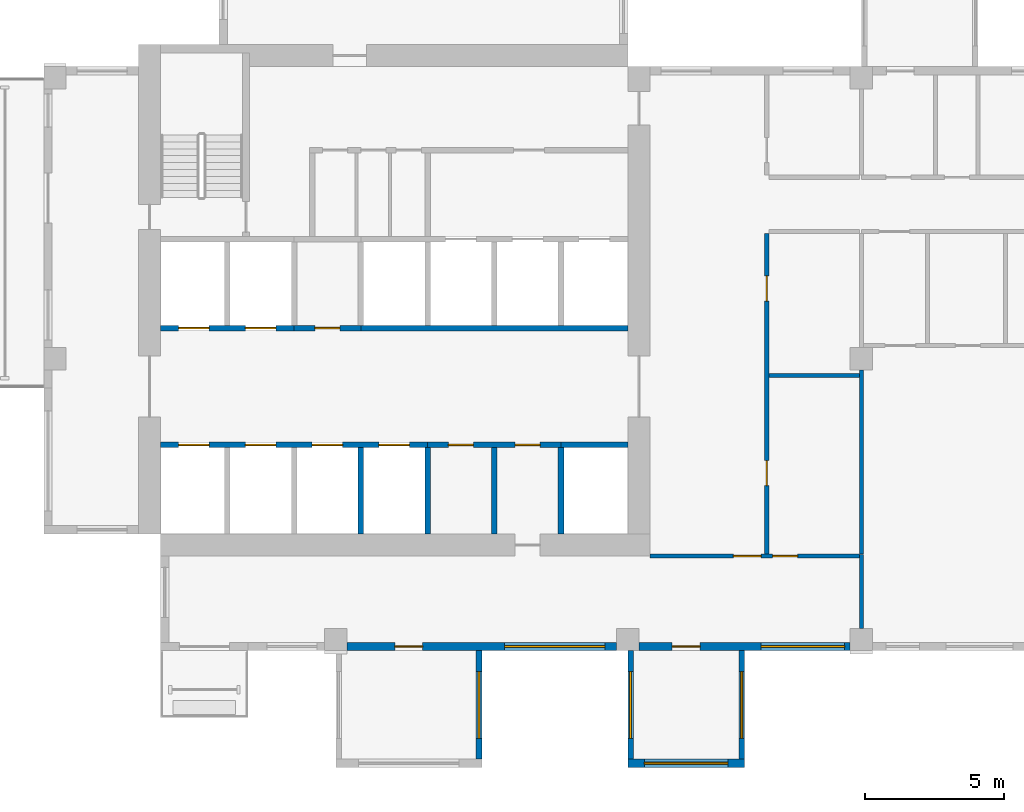
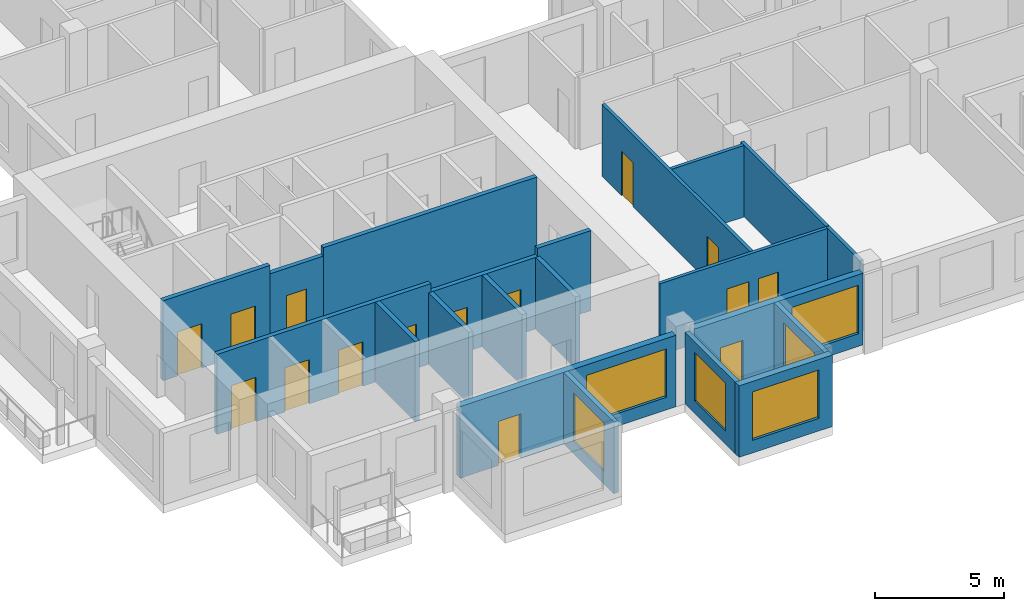
# One storey, part 2 of 12: 21 walls, 15 doors, 6 windows, 21 openings.
"""IFC4 building model written with IfcOpenShell, lengths in metres."""

from ifc_helpers import new_model, si_unit, direction, frame, frame_2d, origin, place, context, subcontext, project, spatial, rectangle, extrude, source, transform, mapped, material, layer, layer_set, type_object, element, fill, save


model = new_model("IFC4")

# Units and contexts
model_context = context("Model", 3, precision=1e-05, world=origin(), true_north=direction((0.0, 1.0)))
body_context = subcontext(model_context, "Body", "Model", "MODEL_VIEW")
ifc_project = project(units=[si_unit("LENGTHUNIT", "METRE"), si_unit("AREAUNIT", "SQUARE_METRE"), si_unit("VOLUMEUNIT", "CUBIC_METRE"), si_unit("PLANEANGLEUNIT", "RADIAN"), si_unit("MASSUNIT", "GRAM", prefix="KILO")], contexts=[model_context])

# Site, building, storey
site_placement = place(None, origin())
site = spatial("IfcSite", under=ifc_project, at=site_placement, CompositionType="ELEMENT")
building_placement = place(site_placement, origin())
building = spatial("IfcBuilding", under=site, at=building_placement, Name="Aurelian Terraces", CompositionType="ELEMENT")
storey_placement = place(building_placement, frame((0.0, 0.0, 246.2)))
storey = spatial("IfcBuildingStorey", under=building, at=storey_placement, Name="L56", CompositionType="ELEMENT", Elevation=246.2)

# Wall
ifc_material_1 = material(Name="Gypsum board on steel studs", Category="steel")
ifc_layer_1 = layer(ifc_material_1, 0.15)
ifc_layer_set_1 = layer_set([ifc_layer_1], Name="Partition 150")
wall_type_1 = type_object("IfcWallType", Name="Partition 150", PredefinedType="PARTITIONING", material=ifc_layer_set_1)
wall_1_placement = place(storey_placement, frame((29.325, 9.9, 0.0), z_axis=(0.0, 0.0, 1.0), x_axis=(-1.0, 0.0, 0.0)))
element("IfcWall", 1, at=wall_1_placement, inside=storey, type_object=wall_type_1, Name="Partition", PredefinedType="PARTITIONING", context=body_context, shape_type="SweptSolid", body=[
    extrude(rectangle(XDim=3.25, YDim=0.15, at=frame_2d((1.625, 0.0))), origin(), (0.0, 0.0, 1.0), 3.4),
])

# Wall, opening, window
ifc_material_2 = material(Name="Concrete fc' 40 MPa", Category="concrete")
ifc_layer_2 = layer(ifc_material_2, 0.2)
ifc_layer_set_2 = layer_set([ifc_layer_2], Name="BOX BEARING WALL 200")
wall_type_2 = type_object("IfcWallType", Name="BOX BEARING WALL 200", PredefinedType="SOLIDWALL", material=ifc_layer_set_2)
shared_shape_1 = source(origin(), body_context, "Body", "SweptSolid", [
    extrude(rectangle(XDim=3.9, YDim=0.2, at=frame_2d((1.95, 0.0))), origin(), (0.0, 0.0, 1.0), 3.4),
])
wall_2_placement = place(storey_placement, frame((15.65, 0.0, 0.0), z_axis=(0.0, 0.0, 1.0), x_axis=(0.0, -1.0, 0.0)))
wall_2 = element("IfcWall", 2, at=wall_2_placement, inside=storey, type_object=wall_type_2, Name="Box return L56 J79.2", PredefinedType="SOLIDWALL", context=body_context, shape_type="MappedRepresentation", body=[
    mapped(shared_shape_1, transform((0.0, 0.0, 0.0), scale=1.0)),
])
shared_shape_2 = source(origin(), body_context, "Body", "SweptSolid", [
    extrude(rectangle(XDim=2.4, YDim=2.3, at=frame_2d((1.2, 1.15))), frame((0.0, 0.11, 0.0), z_axis=(0.0, -1.0, 0.0), x_axis=(1.0, 0.0, 0.0)), (0.0, 0.0, 1.0), 0.22),
])
opening_1_placement = place(wall_2_placement, frame((0.75, 0.0, 0.6)))
opening_1 = element("IfcOpeningElement", 3, at=opening_1_placement, cuts=wall_2, Name="Opening W2423", PredefinedType="OPENING", context=body_context, shape_type="MappedRepresentation", body=[
    mapped(shared_shape_2, transform((0.0, 0.0, 0.0), scale=1.0)),
])
ifc_material_3 = material(Name="Clear glazing", Category="glass")
window_type_1 = type_object("IfcWindowType", Name="W-2400x2300", PartitioningType="SINGLE_PANEL", PredefinedType="WINDOW", material=ifc_material_3)
shared_shape_3 = source(origin(), body_context, "Body", "SweptSolid", [
    extrude(rectangle(XDim=2.4, YDim=2.3, at=frame_2d((1.2, 1.15))), frame((0.0, 0.03, 0.0), z_axis=(0.0, -1.0, 0.0), x_axis=(1.0, 0.0, 0.0)), (0.0, 0.0, 1.0), 0.06),
])
window_1_placement = place(opening_1_placement, origin())
window_1 = element("IfcWindow", 4, at=window_1_placement, inside=storey, type_object=window_type_1, Name="Window L56 J79-S2", OverallHeight=2.3, OverallWidth=2.4, PartitioningType="SINGLE_PANEL", PredefinedType="WINDOW", context=body_context, shape_type="MappedRepresentation", body=[
    mapped(shared_shape_3, transform((0.0, 0.0, 0.0), scale=1.0)),
])
fill(opening_1, window_1)

wall_3_placement = place(storey_placement, frame((21.1, 0.0, 0.0), z_axis=(0.0, 0.0, 1.0), x_axis=(0.0, -1.0, 0.0)))
wall_3 = element("IfcWall", 5, at=wall_3_placement, inside=storey, type_object=wall_type_2, Name="Box return L56 J80.1", PredefinedType="SOLIDWALL", context=body_context, shape_type="MappedRepresentation", body=[
    mapped(shared_shape_1, transform((0.0, 0.0, 0.0), scale=1.0)),
])
opening_2_placement = place(wall_3_placement, frame((0.75, 0.0, 0.6)))
opening_2 = element("IfcOpeningElement", 6, at=opening_2_placement, cuts=wall_3, Name="Opening W2423", PredefinedType="OPENING", context=body_context, shape_type="MappedRepresentation", body=[
    mapped(shared_shape_2, transform((0.0, 0.0, 0.0), scale=1.0)),
])
window_2_placement = place(opening_2_placement, origin())
window_2 = element("IfcWindow", 7, at=window_2_placement, inside=storey, type_object=window_type_1, Name="Window L56 J80-S1", OverallHeight=2.3, OverallWidth=2.4, PartitioningType="SINGLE_PANEL", PredefinedType="WINDOW", context=body_context, shape_type="MappedRepresentation", body=[
    mapped(shared_shape_3, transform((0.0, 0.0, 0.0), scale=1.0)),
])
fill(opening_2, window_2)

wall_4_placement = place(storey_placement, frame((25.1, 0.0, 0.0), z_axis=(0.0, 0.0, 1.0), x_axis=(0.0, -1.0, 0.0)))
wall_4 = element("IfcWall", 8, at=wall_4_placement, inside=storey, type_object=wall_type_2, Name="Box return L56 J80.2", PredefinedType="SOLIDWALL", context=body_context, shape_type="MappedRepresentation", body=[
    mapped(shared_shape_1, transform((0.0, 0.0, 0.0), scale=1.0)),
])
opening_3_placement = place(wall_4_placement, frame((0.75, 0.0, 0.6)))
opening_3 = element("IfcOpeningElement", 9, at=opening_3_placement, cuts=wall_4, Name="Opening W2423", PredefinedType="OPENING", context=body_context, shape_type="MappedRepresentation", body=[
    mapped(shared_shape_2, transform((0.0, 0.0, 0.0), scale=1.0)),
])
window_3_placement = place(opening_3_placement, origin())
window_3 = element("IfcWindow", 10, at=window_3_placement, inside=storey, type_object=window_type_1, Name="Window L56 J80-S2", OverallHeight=2.3, OverallWidth=2.4, PartitioningType="SINGLE_PANEL", PredefinedType="WINDOW", context=body_context, shape_type="MappedRepresentation", body=[
    mapped(shared_shape_3, transform((0.0, 0.0, 0.0), scale=1.0)),
])
fill(opening_3, window_3)

ifc_layer_3 = layer(ifc_material_2, 0.3)
ifc_layer_set_3 = layer_set([ifc_layer_3], Name="BOX BEARING WALL 300")
wall_type_3 = type_object("IfcWallType", Name="BOX BEARING WALL 300", PredefinedType="SOLIDWALL", material=ifc_layer_set_3)
shared_shape_4 = source(origin(), body_context, "Body", "SweptSolid", [
    extrude(rectangle(XDim=4.2, YDim=0.3, at=frame_2d((2.1, 0.0))), origin(), (0.0, 0.0, 1.0), 3.4),
])
wall_5_placement = place(storey_placement, frame((21.0, -4.05, 0.0), z_axis=(0.0, 0.0, 1.0), x_axis=(1.0, 0.0, 0.0)))
wall_5 = element("IfcWall", 11, at=wall_5_placement, inside=storey, type_object=wall_type_3, Name="Box wall L56 J80", PredefinedType="SOLIDWALL", context=body_context, shape_type="MappedRepresentation", body=[
    mapped(shared_shape_4, transform((0.0, 0.0, 0.0), scale=1.0)),
])
shared_shape_5 = source(origin(), body_context, "Body", "SweptSolid", [
    extrude(rectangle(XDim=3.0, YDim=2.3, at=frame_2d((1.5, 1.15))), frame((0.0, 0.16, 0.0), z_axis=(0.0, -1.0, 0.0), x_axis=(1.0, 0.0, 0.0)), (0.0, 0.0, 1.0), 0.32),
])
opening_4_placement = place(wall_5_placement, frame((0.6, 0.0, 0.6)))
opening_4 = element("IfcOpeningElement", 12, at=opening_4_placement, cuts=wall_5, Name="Opening W3023", PredefinedType="OPENING", context=body_context, shape_type="MappedRepresentation", body=[
    mapped(shared_shape_5, transform((0.0, 0.0, 0.0), scale=1.0)),
])
window_type_2 = type_object("IfcWindowType", Name="W-3000x2300", PartitioningType="SINGLE_PANEL", PredefinedType="WINDOW", material=ifc_material_3)
shared_shape_6 = source(origin(), body_context, "Body", "SweptSolid", [
    extrude(rectangle(XDim=3.0, YDim=2.3, at=frame_2d((1.5, 1.15))), frame((0.0, 0.03, 0.0), z_axis=(0.0, -1.0, 0.0), x_axis=(1.0, 0.0, 0.0)), (0.0, 0.0, 1.0), 0.06),
])
window_4_placement = place(opening_4_placement, origin())
window_4 = element("IfcWindow", 13, at=window_4_placement, inside=storey, type_object=window_type_2, Name="Window L56 J80-F1", OverallHeight=2.3, OverallWidth=3.0, PartitioningType="SINGLE_PANEL", PredefinedType="WINDOW", context=body_context, shape_type="MappedRepresentation", body=[
    mapped(shared_shape_6, transform((0.0, 0.0, 0.0), scale=1.0)),
])
fill(opening_4, window_4)

# Wall, openings, window, door
ifc_material_4 = material(Name="Terracotta rainscreen cladding", Category="masonry")
ifc_layer_4 = layer(ifc_material_4, 0.3)
ifc_layer_set_4 = layer_set([ifc_layer_4], Name="EW-300")
wall_type_4 = type_object("IfcWallType", Name="EW-300", PredefinedType="STANDARD", material=ifc_layer_set_4)
shared_shape_7 = source(origin(), body_context, "Body", "SweptSolid", [
    extrude(rectangle(XDim=7.6, YDim=0.3, at=frame_2d((3.8, 0.0))), origin(), (0.0, 0.0, 1.0), 3.4),
])
wall_6_placement = place(storey_placement, frame((21.4, 0.15, 0.0), z_axis=(0.0, 0.0, 1.0), x_axis=(1.0, 0.0, 0.0)))
wall_6 = element("IfcWall", 14, at=wall_6_placement, inside=storey, type_object=wall_type_4, Name="External wall L56 F01.4", PredefinedType="STANDARD", context=body_context, shape_type="MappedRepresentation", body=[
    mapped(shared_shape_7, transform((0.0, 0.0, 0.0), scale=1.0)),
])
opening_5_placement = place(wall_6_placement, frame((4.4, 0.0, 0.6)))
opening_5 = element("IfcOpeningElement", 15, at=opening_5_placement, cuts=wall_6, Name="Opening W3023", PredefinedType="OPENING", context=body_context, shape_type="MappedRepresentation", body=[
    mapped(shared_shape_5, transform((0.0, 0.0, 0.0), scale=1.0)),
])
shared_shape_8 = source(origin(), body_context, "Body", "SweptSolid", [
    extrude(rectangle(XDim=1.0, YDim=2.1, at=frame_2d((0.5, 1.05))), frame((0.0, 0.16, 0.0), z_axis=(0.0, -1.0, 0.0), x_axis=(1.0, 0.0, 0.0)), (0.0, 0.0, 1.0), 0.32),
])
opening_6_placement = place(wall_6_placement, frame((1.2, 0.0, 0.0)))
opening_6 = element("IfcOpeningElement", 16, at=opening_6_placement, cuts=wall_6, Name="Opening 856002", PredefinedType="OPENING", context=body_context, shape_type="MappedRepresentation", body=[
    mapped(shared_shape_8, transform((0.0, 0.0, 0.0), scale=1.0)),
])
window_5_placement = place(opening_5_placement, origin())
window_5 = element("IfcWindow", 17, at=window_5_placement, inside=storey, type_object=window_type_2, Name="Window L56 L56-F01-04-1", OverallHeight=2.3, OverallWidth=3.0, PartitioningType="SINGLE_PANEL", PredefinedType="WINDOW", context=body_context, shape_type="MappedRepresentation", body=[
    mapped(shared_shape_6, transform((0.0, 0.0, 0.0), scale=1.0)),
])
fill(opening_5, window_5)
ifc_material_5 = material(Name="Timber door leaf", Category="wood")
door_type_1 = type_object("IfcDoorType", Name="Room door 1000x2100 left", OperationType="SINGLE_SWING_LEFT", PredefinedType="DOOR", material=ifc_material_5)
shared_shape_9 = source(origin(), body_context, "Body", "SweptSolid", [
    extrude(rectangle(XDim=1.0, YDim=2.1, at=frame_2d((0.5, 1.05))), frame((0.0, 0.025, 0.0), z_axis=(0.0, -1.0, 0.0), x_axis=(1.0, 0.0, 0.0)), (0.0, 0.0, 1.0), 0.05),
])
door_1_placement = place(opening_6_placement, origin())
door_1 = element("IfcDoor", 18, at=door_1_placement, inside=storey, type_object=door_type_1, Name="Door 856002", OperationType="SINGLE_SWING_LEFT", OverallHeight=2.1, OverallWidth=1.0, PredefinedType="DOOR", context=body_context, shape_type="MappedRepresentation", body=[
    mapped(shared_shape_9, transform((0.0, 0.0, 0.0), scale=1.0)),
])
fill(opening_6, door_1)

shared_shape_10 = source(origin(), body_context, "Body", "SweptSolid", [
    extrude(rectangle(XDim=9.7, YDim=0.3, at=frame_2d((4.85, 0.0))), origin(), (0.0, 0.0, 1.0), 3.4),
])
wall_7_placement = place(storey_placement, frame((10.9, 0.15, 0.0), z_axis=(0.0, 0.0, 1.0), x_axis=(1.0, 0.0, 0.0)))
wall_7 = element("IfcWall", 19, at=wall_7_placement, inside=storey, type_object=wall_type_4, Name="External wall L56 F01.3", PredefinedType="STANDARD", context=body_context, shape_type="MappedRepresentation", body=[
    mapped(shared_shape_10, transform((0.0, 0.0, 0.0), scale=1.0)),
])
shared_shape_11 = source(origin(), body_context, "Body", "SweptSolid", [
    extrude(rectangle(XDim=3.6, YDim=2.3, at=frame_2d((1.8, 1.15))), frame((0.0, 0.16, 0.0), z_axis=(0.0, -1.0, 0.0), x_axis=(1.0, 0.0, 0.0)), (0.0, 0.0, 1.0), 0.32),
])
opening_7_placement = place(wall_7_placement, frame((5.675, 0.0, 0.6)))
opening_7 = element("IfcOpeningElement", 20, at=opening_7_placement, cuts=wall_7, Name="Opening W3623", PredefinedType="OPENING", context=body_context, shape_type="MappedRepresentation", body=[
    mapped(shared_shape_11, transform((0.0, 0.0, 0.0), scale=1.0)),
])
opening_8_placement = place(wall_7_placement, frame((1.725, 0.0, 0.0)))
opening_8 = element("IfcOpeningElement", 21, at=opening_8_placement, cuts=wall_7, Name="Opening 856001", PredefinedType="OPENING", context=body_context, shape_type="MappedRepresentation", body=[
    mapped(shared_shape_8, transform((0.0, 0.0, 0.0), scale=1.0)),
])
window_type_3 = type_object("IfcWindowType", Name="W-3600x2300", PartitioningType="SINGLE_PANEL", PredefinedType="WINDOW", material=ifc_material_3)
shared_shape_12 = source(origin(), body_context, "Body", "SweptSolid", [
    extrude(rectangle(XDim=3.6, YDim=2.3, at=frame_2d((1.8, 1.15))), frame((0.0, 0.03, 0.0), z_axis=(0.0, -1.0, 0.0), x_axis=(1.0, 0.0, 0.0)), (0.0, 0.0, 1.0), 0.06),
])
window_6_placement = place(opening_7_placement, origin())
window_6 = element("IfcWindow", 22, at=window_6_placement, inside=storey, type_object=window_type_3, Name="Window L56 L56-F01-03-1", OverallHeight=2.3, OverallWidth=3.6, PartitioningType="SINGLE_PANEL", PredefinedType="WINDOW", context=body_context, shape_type="MappedRepresentation", body=[
    mapped(shared_shape_12, transform((0.0, 0.0, 0.0), scale=1.0)),
])
fill(opening_7, window_6)
door_2_placement = place(opening_8_placement, origin())
door_2 = element("IfcDoor", 23, at=door_2_placement, inside=storey, type_object=door_type_1, Name="Door 856001", OperationType="SINGLE_SWING_LEFT", OverallHeight=2.1, OverallWidth=1.0, PredefinedType="DOOR", context=body_context, shape_type="MappedRepresentation", body=[
    mapped(shared_shape_9, transform((0.0, 0.0, 0.0), scale=1.0)),
])
fill(opening_8, door_2)

# Walls
ifc_layer_5 = layer(ifc_material_2, 0.2)
ifc_layer_set_5 = layer_set([ifc_layer_5], Name="Lift shaft wall 200")
wall_type_5 = type_object("IfcWallType", Name="Lift shaft wall 200", PredefinedType="SOLIDWALL", material=ifc_layer_set_5)
shared_shape_13 = source(origin(), body_context, "Body", "SweptSolid", [
    extrude(rectangle(XDim=3.1, YDim=0.2, at=frame_2d((1.55, 0.0))), origin(), (0.0, 0.0, 1.0), 3.8),
])
wall_8_placement = place(storey_placement, frame((11.4, 4.2, 0.0), z_axis=(0.0, 0.0, 1.0), x_axis=(0.0, 1.0, 0.0)))
element("IfcWall", 24, at=wall_8_placement, inside=storey, type_object=wall_type_5, Name="L56 core wall CD-A3", PredefinedType="SOLIDWALL", context=body_context, shape_type="MappedRepresentation", body=[
    mapped(shared_shape_13, transform((0.0, 0.0, 0.0), scale=1.0)),
])
shared_shape_14 = source(origin(), body_context, "Body", "SweptSolid", [
    extrude(rectangle(XDim=3.1, YDim=0.2, at=frame_2d((1.55, 0.0))), origin(), (0.0, 0.0, 1.0), 3.4),
])
for number, where, z_axis, x_axis, name in (
    (25, (13.8, 4.2, 0.0), (0.0, 0.0, 1.0), (0.0, 1.0, 0.0), "L56 core wall CD-A4"),
    (26, (18.6, 4.2, 0.0), (0.0, 0.0, 1.0), (0.0, 1.0, 0.0), "L56 core wall CD-A6"),
):
    element("IfcWall", number, at=place(storey_placement, frame(where, z_axis=z_axis, x_axis=x_axis)), inside=storey, type_object=wall_type_5, Name=name, PredefinedType="SOLIDWALL", context=body_context, shape_type="MappedRepresentation", body=[
        mapped(shared_shape_14, transform((0.0, 0.0, 0.0), scale=1.0)),
    ])

# Wall, openings, doors
shared_shape_15 = source(origin(), body_context, "Body", "SweptSolid", [
    extrude(rectangle(XDim=9.6, YDim=0.2, at=frame_2d((4.8, 0.0))), origin(), (0.0, 0.0, 1.0), 3.8),
])
wall_9_placement = place(storey_placement, frame((4.2, 7.4, 0.0), z_axis=(0.0, 0.0, 1.0), x_axis=(1.0, 0.0, 0.0)))
wall_9 = element("IfcWall", 27, at=wall_9_placement, inside=storey, type_object=wall_type_5, Name="L56 core wall CF-AF1", PredefinedType="SOLIDWALL", context=body_context, shape_type="MappedRepresentation", body=[
    mapped(shared_shape_15, transform((0.0, 0.0, 0.0), scale=1.0)),
])
shared_shape_16 = source(origin(), body_context, "Body", "SweptSolid", [
    extrude(rectangle(XDim=1.1, YDim=2.1, at=frame_2d((0.55, 1.05))), frame((0.0, 0.11, 0.0), z_axis=(0.0, -1.0, 0.0), x_axis=(1.0, 0.0, 0.0)), (0.0, 0.0, 1.0), 0.22),
])
opening_9_placement = place(wall_9_placement, frame((0.65, 0.0, 0.0)))
opening_9 = element("IfcOpeningElement", 28, at=opening_9_placement, cuts=wall_9, Name="Opening 65900", PredefinedType="OPENING", context=body_context, shape_type="MappedRepresentation", body=[
    mapped(shared_shape_16, transform((0.0, 0.0, 0.0), scale=1.0)),
])
opening_10_placement = place(wall_9_placement, frame((3.05, 0.0, 0.0)))
opening_10 = element("IfcOpeningElement", 29, at=opening_10_placement, cuts=wall_9, Name="Opening 65901", PredefinedType="OPENING", context=body_context, shape_type="MappedRepresentation", body=[
    mapped(shared_shape_16, transform((0.0, 0.0, 0.0), scale=1.0)),
])
opening_11_placement = place(wall_9_placement, frame((5.45, 0.0, 0.0)))
opening_11 = element("IfcOpeningElement", 30, at=opening_11_placement, cuts=wall_9, Name="Opening 65902", PredefinedType="OPENING", context=body_context, shape_type="MappedRepresentation", body=[
    mapped(shared_shape_16, transform((0.0, 0.0, 0.0), scale=1.0)),
])
opening_12_placement = place(wall_9_placement, frame((7.85, 0.0, 0.0)))
opening_12 = element("IfcOpeningElement", 31, at=opening_12_placement, cuts=wall_9, Name="Opening 65903", PredefinedType="OPENING", context=body_context, shape_type="MappedRepresentation", body=[
    mapped(shared_shape_16, transform((0.0, 0.0, 0.0), scale=1.0)),
])
ifc_material_6 = material(Name="Stainless steel", Category="steel")
door_type_2 = type_object("IfcDoorType", Name="Lift landing door 1100x2100", OperationType="SLIDING_TO_LEFT", PredefinedType="DOOR", material=ifc_material_6)
shared_shape_17 = source(origin(), body_context, "Body", "SweptSolid", [
    extrude(rectangle(XDim=1.1, YDim=2.1, at=frame_2d((0.55, 1.05))), frame((0.0, 0.025, 0.0), z_axis=(0.0, -1.0, 0.0), x_axis=(1.0, 0.0, 0.0)), (0.0, 0.0, 1.0), 0.05),
])
door_3_placement = place(opening_9_placement, origin())
door_3 = element("IfcDoor", 32, at=door_3_placement, inside=storey, type_object=door_type_2, Name="Lift landing door LM1 L56", OperationType="SLIDING_TO_LEFT", OverallHeight=2.1, OverallWidth=1.1, PredefinedType="DOOR", context=body_context, shape_type="MappedRepresentation", body=[
    mapped(shared_shape_17, transform((0.0, 0.0, 0.0), scale=1.0)),
])
fill(opening_9, door_3)
door_4_placement = place(opening_10_placement, origin())
door_4 = element("IfcDoor", 33, at=door_4_placement, inside=storey, type_object=door_type_2, Name="Lift landing door LM2 L56", OperationType="SLIDING_TO_LEFT", OverallHeight=2.1, OverallWidth=1.1, PredefinedType="DOOR", context=body_context, shape_type="MappedRepresentation", body=[
    mapped(shared_shape_17, transform((0.0, 0.0, 0.0), scale=1.0)),
])
fill(opening_10, door_4)
door_5_placement = place(opening_11_placement, origin())
door_5 = element("IfcDoor", 34, at=door_5_placement, inside=storey, type_object=door_type_2, Name="Lift landing door LM3 L56", OperationType="SLIDING_TO_LEFT", OverallHeight=2.1, OverallWidth=1.1, PredefinedType="DOOR", context=body_context, shape_type="MappedRepresentation", body=[
    mapped(shared_shape_17, transform((0.0, 0.0, 0.0), scale=1.0)),
])
fill(opening_11, door_5)
door_6_placement = place(opening_12_placement, origin())
door_6 = element("IfcDoor", 35, at=door_6_placement, inside=storey, type_object=door_type_2, Name="Lift landing door LM4 L56", OperationType="SLIDING_TO_LEFT", OverallHeight=2.1, OverallWidth=1.1, PredefinedType="DOOR", context=body_context, shape_type="MappedRepresentation", body=[
    mapped(shared_shape_17, transform((0.0, 0.0, 0.0), scale=1.0)),
])
fill(opening_12, door_6)

# Wall
wall_10_placement = place(storey_placement, frame((11.4, 11.6, 0.0), z_axis=(0.0, 0.0, 1.0), x_axis=(1.0, 0.0, 0.0)))
element("IfcWall", 36, at=wall_10_placement, inside=storey, type_object=wall_type_5, Name="L56 core wall CF-BF3", PredefinedType="SOLIDWALL", context=body_context, shape_type="MappedRepresentation", body=[
    mapped(shared_shape_15, transform((0.0, 0.0, 0.0), scale=1.0)),
])

# Wall, openings, doors
shared_shape_18 = source(origin(), body_context, "Body", "SweptSolid", [
    extrude(rectangle(XDim=4.8, YDim=0.2, at=frame_2d((2.4, 0.0))), origin(), (0.0, 0.0, 1.0), 3.8),
])
wall_11_placement = place(storey_placement, frame((4.2, 11.6, 0.0), z_axis=(0.0, 0.0, 1.0), x_axis=(1.0, 0.0, 0.0)))
wall_11 = element("IfcWall", 37, at=wall_11_placement, inside=storey, type_object=wall_type_5, Name="L56 core wall CF-BF1", PredefinedType="SOLIDWALL", context=body_context, shape_type="MappedRepresentation", body=[
    mapped(shared_shape_18, transform((0.0, 0.0, 0.0), scale=1.0)),
])
opening_13_placement = place(wall_11_placement, frame((0.65, 0.0, 0.0)))
opening_13 = element("IfcOpeningElement", 38, at=opening_13_placement, cuts=wall_11, Name="Opening 65906", PredefinedType="OPENING", context=body_context, shape_type="MappedRepresentation", body=[
    mapped(shared_shape_16, transform((0.0, 0.0, 0.0), scale=1.0)),
])
opening_14_placement = place(wall_11_placement, frame((3.05, 0.0, 0.0)))
opening_14 = element("IfcOpeningElement", 39, at=opening_14_placement, cuts=wall_11, Name="Opening 65907", PredefinedType="OPENING", context=body_context, shape_type="MappedRepresentation", body=[
    mapped(shared_shape_16, transform((0.0, 0.0, 0.0), scale=1.0)),
])
door_7_placement = place(opening_13_placement, origin())
door_7 = element("IfcDoor", 40, at=door_7_placement, inside=storey, type_object=door_type_2, Name="Lift landing door LM5 L56", OperationType="SLIDING_TO_LEFT", OverallHeight=2.1, OverallWidth=1.1, PredefinedType="DOOR", context=body_context, shape_type="MappedRepresentation", body=[
    mapped(shared_shape_17, transform((0.0, 0.0, 0.0), scale=1.0)),
])
fill(opening_13, door_7)
door_8_placement = place(opening_14_placement, origin())
door_8 = element("IfcDoor", 41, at=door_8_placement, inside=storey, type_object=door_type_2, Name="Lift landing door LM6 L56", OperationType="SLIDING_TO_LEFT", OverallHeight=2.1, OverallWidth=1.1, PredefinedType="DOOR", context=body_context, shape_type="MappedRepresentation", body=[
    mapped(shared_shape_17, transform((0.0, 0.0, 0.0), scale=1.0)),
])
fill(opening_14, door_8)

# Wall, opening, door
shared_shape_19 = source(origin(), body_context, "Body", "SweptSolid", [
    extrude(rectangle(XDim=2.4, YDim=0.2, at=frame_2d((1.2, 0.0))), origin(), (0.0, 0.0, 1.0), 3.4),
])
wall_12_placement = place(storey_placement, frame((9.0, 11.6, 0.0), z_axis=(0.0, 0.0, 1.0), x_axis=(1.0, 0.0, 0.0)))
wall_12 = element("IfcWall", 42, at=wall_12_placement, inside=storey, type_object=wall_type_5, Name="L56 core wall CF-BF2", PredefinedType="SOLIDWALL", context=body_context, shape_type="MappedRepresentation", body=[
    mapped(shared_shape_19, transform((0.0, 0.0, 0.0), scale=1.0)),
])
shared_shape_20 = source(origin(), body_context, "Body", "SweptSolid", [
    extrude(rectangle(XDim=0.9, YDim=2.1, at=frame_2d((0.45, 1.05))), frame((0.0, 0.11, 0.0), z_axis=(0.0, -1.0, 0.0), x_axis=(1.0, 0.0, 0.0)), (0.0, 0.0, 1.0), 0.22),
])
opening_15_placement = place(wall_12_placement, frame((0.75, 0.0, 0.0)))
opening_15 = element("IfcOpeningElement", 43, at=opening_15_placement, cuts=wall_12, Name="Opening 65908", PredefinedType="OPENING", context=body_context, shape_type="MappedRepresentation", body=[
    mapped(shared_shape_20, transform((0.0, 0.0, 0.0), scale=1.0)),
])
ifc_material_7 = material(Name="Steel door leaf", Category="steel")
door_type_3 = type_object("IfcDoorType", Name="Core service door 900x2100 right", OperationType="SINGLE_SWING_RIGHT", PredefinedType="DOOR", material=ifc_material_7)
shared_shape_21 = source(origin(), body_context, "Body", "SweptSolid", [
    extrude(rectangle(XDim=0.9, YDim=2.1, at=frame_2d((0.45, 1.05))), frame((0.0, 0.025, 0.0), z_axis=(0.0, -1.0, 0.0), x_axis=(1.0, 0.0, 0.0)), (0.0, 0.0, 1.0), 0.05),
])
door_9_placement = place(opening_15_placement, origin())
door_9 = element("IfcDoor", 44, at=door_9_placement, inside=storey, type_object=door_type_3, Name="Room door 65908", OperationType="SINGLE_SWING_RIGHT", OverallHeight=2.1, OverallWidth=0.9, PredefinedType="DOOR", context=body_context, shape_type="MappedRepresentation", body=[
    mapped(shared_shape_21, transform((0.0, 0.0, 0.0), scale=1.0)),
])
fill(opening_15, door_9)

# Wall, openings, doors
shared_shape_22 = source(origin(), body_context, "Body", "SweptSolid", [
    extrude(rectangle(XDim=4.8, YDim=0.2, at=frame_2d((2.4, 0.0))), origin(), (0.0, 0.0, 1.0), 3.4),
])
wall_13_placement = place(storey_placement, frame((13.8, 7.4, 0.0), z_axis=(0.0, 0.0, 1.0), x_axis=(1.0, 0.0, 0.0)))
wall_13 = element("IfcWall", 45, at=wall_13_placement, inside=storey, type_object=wall_type_5, Name="L56 core wall CF-AF2", PredefinedType="SOLIDWALL", context=body_context, shape_type="MappedRepresentation", body=[
    mapped(shared_shape_22, transform((0.0, 0.0, 0.0), scale=1.0)),
])
opening_16_placement = place(wall_13_placement, frame((0.75, 0.0, 0.0)))
opening_16 = element("IfcOpeningElement", 46, at=opening_16_placement, cuts=wall_13, Name="Opening 65904", PredefinedType="OPENING", context=body_context, shape_type="MappedRepresentation", body=[
    mapped(shared_shape_20, transform((0.0, 0.0, 0.0), scale=1.0)),
])
opening_17_placement = place(wall_13_placement, frame((3.15, 0.0, 0.0)))
opening_17 = element("IfcOpeningElement", 47, at=opening_17_placement, cuts=wall_13, Name="Opening 65905", PredefinedType="OPENING", context=body_context, shape_type="MappedRepresentation", body=[
    mapped(shared_shape_20, transform((0.0, 0.0, 0.0), scale=1.0)),
])
door_10_placement = place(opening_16_placement, origin())
door_10 = element("IfcDoor", 48, at=door_10_placement, inside=storey, type_object=door_type_3, Name="Room door 65904", OperationType="SINGLE_SWING_RIGHT", OverallHeight=2.1, OverallWidth=0.9, PredefinedType="DOOR", context=body_context, shape_type="MappedRepresentation", body=[
    mapped(shared_shape_21, transform((0.0, 0.0, 0.0), scale=1.0)),
])
fill(opening_16, door_10)
door_type_4 = type_object("IfcDoorType", Name="Core service door 900x2100", OperationType="SINGLE_SWING_LEFT", PredefinedType="DOOR", material=ifc_material_7)
door_11_placement = place(opening_17_placement, origin())
door_11 = element("IfcDoor", 49, at=door_11_placement, inside=storey, type_object=door_type_4, Name="Room door 65905", OperationType="SINGLE_SWING_LEFT", OverallHeight=2.1, OverallWidth=0.9, PredefinedType="DOOR", context=body_context, shape_type="MappedRepresentation", body=[
    mapped(shared_shape_21, transform((0.0, 0.0, 0.0), scale=1.0)),
])
fill(opening_17, door_11)

# Walls
shared_shape_23 = source(origin(), body_context, "Body", "SweptSolid", [
    extrude(rectangle(XDim=2.4, YDim=0.2, at=frame_2d((1.2, 0.0))), origin(), (0.0, 0.0, 1.0), 3.8),
])
wall_14_placement = place(storey_placement, frame((18.6, 7.4, 0.0), z_axis=(0.0, 0.0, 1.0), x_axis=(1.0, 0.0, 0.0)))
element("IfcWall", 50, at=wall_14_placement, inside=storey, type_object=wall_type_5, Name="L56 core wall CF-AF3", PredefinedType="SOLIDWALL", context=body_context, shape_type="MappedRepresentation", body=[
    mapped(shared_shape_23, transform((0.0, 0.0, 0.0), scale=1.0)),
])
ifc_layer_6 = layer(ifc_material_1, 0.2)
ifc_layer_set_6 = layer_set([ifc_layer_6], Name="Core partition 200")
wall_type_6 = type_object("IfcWallType", Name="Core partition 200", PredefinedType="PARTITIONING", material=ifc_layer_set_6)
shared_shape_24 = source(origin(), body_context, "Body", "SweptSolid", [
    extrude(rectangle(XDim=3.1, YDim=0.2, at=frame_2d((1.55, 0.0))), origin(), (0.0, 0.0, 1.0), 3.4),
])
wall_15_placement = place(storey_placement, frame((16.2, 4.2, 0.0), z_axis=(0.0, 0.0, 1.0), x_axis=(0.0, 1.0, 0.0)))
element("IfcWall", 51, at=wall_15_placement, inside=storey, type_object=wall_type_6, Name="L56 core wall CS-A5", PredefinedType="PARTITIONING", context=body_context, shape_type="MappedRepresentation", body=[
    mapped(shared_shape_24, transform((0.0, 0.0, 0.0), scale=1.0)),
])

# Wall, openings, doors
shared_shape_25 = source(origin(), body_context, "Body", "SweptSolid", [
    extrude(rectangle(XDim=11.525, YDim=0.15, at=frame_2d((5.7625, 0.0))), origin(), (0.0, 0.0, 1.0), 3.4),
])
wall_16_placement = place(storey_placement, frame((26.0, 15.0, 0.0), z_axis=(0.0, 0.0, 1.0), x_axis=(0.0, -1.0, 0.0)))
wall_16 = element("IfcWall", 52, at=wall_16_placement, inside=storey, type_object=wall_type_1, Name="Partition", PredefinedType="PARTITIONING", context=body_context, shape_type="MappedRepresentation", body=[
    mapped(shared_shape_25, transform((0.0, 0.0, 0.0), scale=1.0)),
])
shared_shape_26 = source(origin(), body_context, "Body", "SweptSolid", [
    extrude(rectangle(XDim=0.9, YDim=2.1, at=frame_2d((0.45, 1.05))), frame((0.0, 0.085, 0.0), z_axis=(0.0, -1.0, 0.0), x_axis=(1.0, 0.0, 0.0)), (0.0, 0.0, 1.0), 0.17),
])
opening_18_placement = place(wall_16_placement, frame((8.1625, 0.0, 0.0)))
opening_18 = element("IfcOpeningElement", 53, at=opening_18_placement, cuts=wall_16, Name="Opening 756001", PredefinedType="OPENING", context=body_context, shape_type="MappedRepresentation", body=[
    mapped(shared_shape_26, transform((0.0, 0.0, 0.0), scale=1.0)),
])
opening_19_placement = place(wall_16_placement, frame((1.525, 0.0, 0.0)))
opening_19 = element("IfcOpeningElement", 54, at=opening_19_placement, cuts=wall_16, Name="Opening 756002", PredefinedType="OPENING", context=body_context, shape_type="MappedRepresentation", body=[
    mapped(shared_shape_26, transform((0.0, 0.0, 0.0), scale=1.0)),
])
door_type_5 = type_object("IfcDoorType", Name="Room door 900x2100 right", OperationType="SINGLE_SWING_RIGHT", PredefinedType="DOOR", material=ifc_material_5)
door_12_placement = place(opening_18_placement, origin())
door_12 = element("IfcDoor", 55, at=door_12_placement, inside=storey, type_object=door_type_5, Name="Door 756001", OperationType="SINGLE_SWING_RIGHT", OverallHeight=2.1, OverallWidth=0.9, PredefinedType="DOOR", context=body_context, shape_type="MappedRepresentation", body=[
    mapped(shared_shape_21, transform((0.0, 0.0, 0.0), scale=1.0)),
])
fill(opening_18, door_12)
door_type_6 = type_object("IfcDoorType", Name="Room door 900x2100 left", OperationType="SINGLE_SWING_LEFT", PredefinedType="DOOR", material=ifc_material_5)
door_13_placement = place(opening_19_placement, origin())
door_13 = element("IfcDoor", 56, at=door_13_placement, inside=storey, type_object=door_type_6, Name="Door 756002", OperationType="SINGLE_SWING_LEFT", OverallHeight=2.1, OverallWidth=0.9, PredefinedType="DOOR", context=body_context, shape_type="MappedRepresentation", body=[
    mapped(shared_shape_21, transform((0.0, 0.0, 0.0), scale=1.0)),
])
fill(opening_19, door_13)

shared_shape_27 = source(origin(), body_context, "Body", "SweptSolid", [
    extrude(rectangle(XDim=7.525, YDim=0.15, at=frame_2d((3.7625, 0.0))), origin(), (0.0, 0.0, 1.0), 3.4),
])
wall_17_placement = place(storey_placement, frame((21.8, 3.4, 0.0), z_axis=(0.0, 0.0, 1.0), x_axis=(1.0, 0.0, 0.0)))
wall_17 = element("IfcWall", 57, at=wall_17_placement, inside=storey, type_object=wall_type_1, Name="Partition", PredefinedType="PARTITIONING", context=body_context, shape_type="MappedRepresentation", body=[
    mapped(shared_shape_27, transform((0.0, 0.0, 0.0), scale=1.0)),
])
shared_shape_28 = source(origin(), body_context, "Body", "SweptSolid", [
    extrude(rectangle(XDim=1.0, YDim=2.1, at=frame_2d((0.5, 1.05))), frame((0.0, 0.085, 0.0), z_axis=(0.0, -1.0, 0.0), x_axis=(1.0, 0.0, 0.0)), (0.0, 0.0, 1.0), 0.17),
])
opening_20_placement = place(wall_17_placement, frame((3.0, 0.0, 0.0)))
opening_20 = element("IfcOpeningElement", 58, at=opening_20_placement, cuts=wall_17, Name="Opening 756004", PredefinedType="OPENING", context=body_context, shape_type="MappedRepresentation", body=[
    mapped(shared_shape_28, transform((0.0, 0.0, 0.0), scale=1.0)),
])
opening_21_placement = place(wall_17_placement, frame((4.413, 0.0, 0.0)))
opening_21 = element("IfcOpeningElement", 59, at=opening_21_placement, cuts=wall_17, Name="Opening 756035", PredefinedType="OPENING", context=body_context, shape_type="MappedRepresentation", body=[
    mapped(shared_shape_26, transform((0.0, 0.0, 0.0), scale=1.0)),
])
door_14_placement = place(opening_20_placement, origin())
door_14 = element("IfcDoor", 60, at=door_14_placement, inside=storey, type_object=door_type_1, Name="Door 756004", OperationType="SINGLE_SWING_LEFT", OverallHeight=2.1, OverallWidth=1.0, PredefinedType="DOOR", context=body_context, shape_type="MappedRepresentation", body=[
    mapped(shared_shape_9, transform((0.0, 0.0, 0.0), scale=1.0)),
])
fill(opening_20, door_14)
door_15_placement = place(opening_21_placement, origin())
door_15 = element("IfcDoor", 61, at=door_15_placement, inside=storey, type_object=door_type_6, Name="Door 756035", OperationType="SINGLE_SWING_LEFT", OverallHeight=2.1, OverallWidth=0.9, PredefinedType="DOOR", context=body_context, shape_type="MappedRepresentation", body=[
    mapped(shared_shape_21, transform((0.0, 0.0, 0.0), scale=1.0)),
])
fill(opening_21, door_15)

# Walls
shared_shape_29 = source(origin(), body_context, "Body", "SweptSolid", [
    extrude(rectangle(XDim=6.626, YDim=0.15, at=frame_2d((3.313, 0.0))), origin(), (0.0, 0.0, 1.0), 3.4),
])
wall_18_placement = place(storey_placement, frame((29.4, 3.475, 0.0), z_axis=(0.0, 0.0, 1.0), x_axis=(0.0, 1.0, 0.0)))
element("IfcWall", 62, at=wall_18_placement, inside=storey, type_object=wall_type_1, Name="Partition", PredefinedType="PARTITIONING", context=body_context, shape_type="MappedRepresentation", body=[
    mapped(shared_shape_29, transform((0.0, 0.0, 0.0), scale=1.0)),
])
ifc_layer_7 = layer(ifc_material_1, 0.15)
ifc_layer_set_7 = layer_set([ifc_layer_7], Name="Fire partition 150")
wall_type_7 = type_object("IfcWallType", Name="Fire partition 150", PredefinedType="PARTITIONING", material=ifc_layer_set_7)
shared_shape_30 = source(origin(), body_context, "Body", "SweptSolid", [
    extrude(rectangle(XDim=2.656, YDim=0.15, at=frame_2d((1.328, 0.0))), origin(), (0.0, 0.0, 1.0), 3.4),
])
wall_19_placement = place(storey_placement, frame((29.4, 0.799, 0.0), z_axis=(0.0, 0.0, 1.0), x_axis=(0.0, 1.0, 0.0)))
element("IfcWall", 63, at=wall_19_placement, inside=storey, type_object=wall_type_7, Name="Party wall", PredefinedType="PARTITIONING", context=body_context, shape_type="MappedRepresentation", body=[
    mapped(shared_shape_30, transform((0.0, 0.0, 0.0), scale=1.0)),
])

save(model, "model.ifc")
